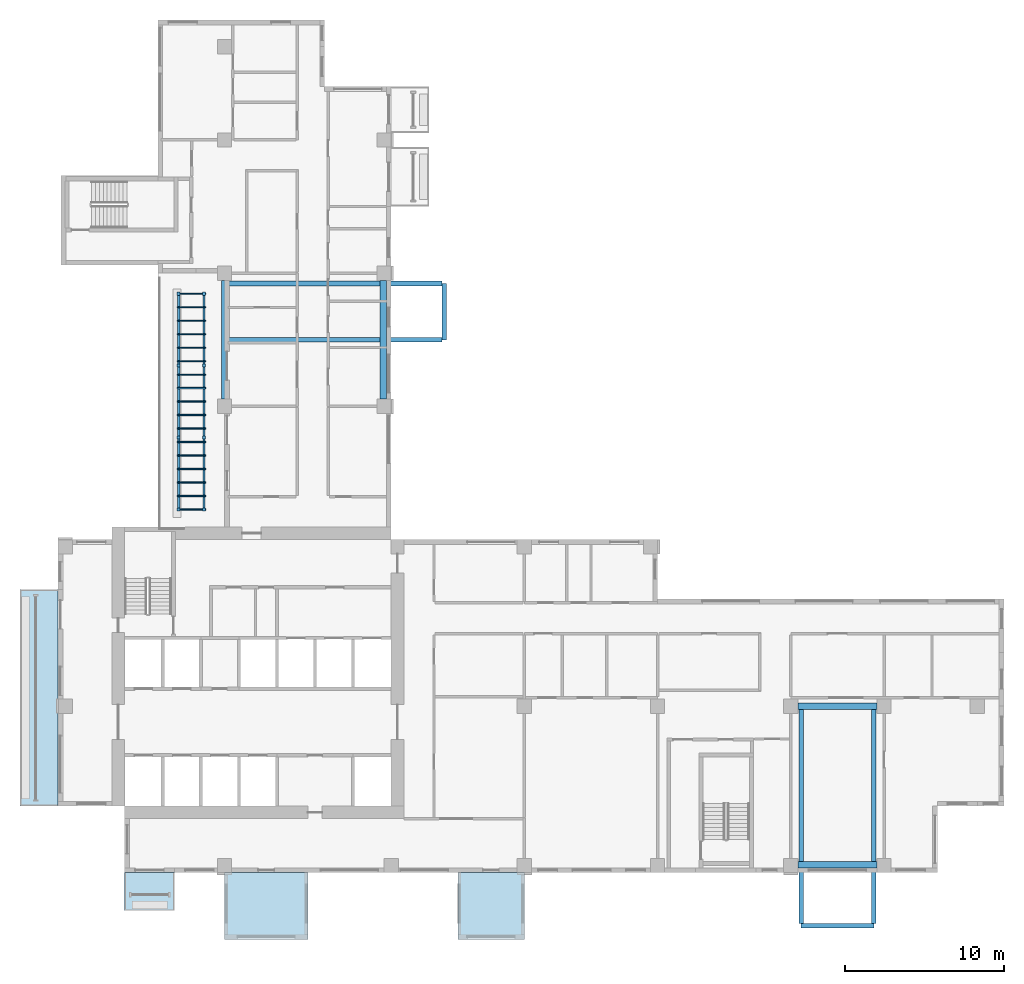
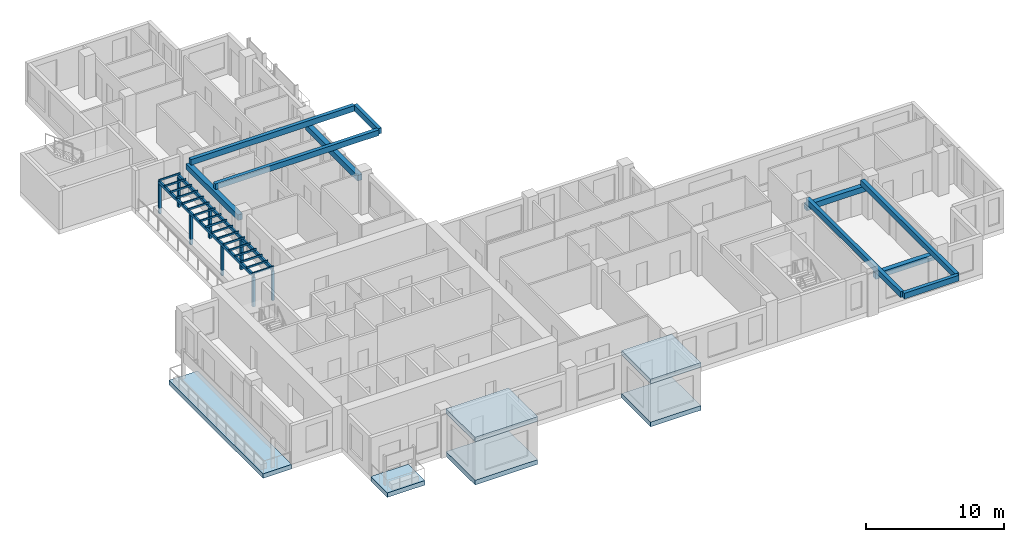
# One storey, part 2 of 14: 27 members, 10 beams, 6 slabs.
"""IFC4 building model written with IfcOpenShell, lengths in metres."""

from ifc_helpers import new_model, si_unit, direction, frame, origin, origin_2d, place, context, subcontext, project, spatial, polyline, rectangle, outline, extrude, source, transform, mapped, material, layer, layer_set, material_profile, profile_set, type_object, element, save


model = new_model("IFC4")

# Units and contexts
model_context = context("Model", 3, precision=1e-05, world=origin(), true_north=direction((0.0, 1.0)))
body_context = subcontext(model_context, "Body", "Model", "MODEL_VIEW")
ifc_project = project(units=[si_unit("LENGTHUNIT", "METRE"), si_unit("AREAUNIT", "SQUARE_METRE"), si_unit("VOLUMEUNIT", "CUBIC_METRE"), si_unit("PLANEANGLEUNIT", "RADIAN"), si_unit("MASSUNIT", "GRAM", prefix="KILO")], contexts=[model_context])

# Site, building, storey
site_placement = place(None, origin())
site = spatial("IfcSite", under=ifc_project, at=site_placement, CompositionType="ELEMENT")
building_placement = place(site_placement, origin())
building = spatial("IfcBuilding", under=site, at=building_placement, Name="Aurelian Terraces", CompositionType="ELEMENT")
storey_placement = place(building_placement, frame((0.0, 0.0, 185.4)))
storey = spatial("IfcBuildingStorey", under=building, at=storey_placement, Name="L40", CompositionType="ELEMENT", Elevation=185.4)

# Beams
ifc_material_1 = material(Name="Concrete fc' 40 MPa", Category="concrete")
ifc_material_profile_1 = material_profile(ifc_material_1, rectangle(XDim=0.3, YDim=0.5, at=origin_2d()))
ifc_profile_set_1 = profile_set([ifc_material_profile_1], Name="Concrete fc' 40 MPa")
beam_type_1 = type_object("IfcBeamType", Name="CONCRETE CANTILEVER BEAM 300X500", PredefinedType="BEAM", material=ifc_profile_set_1)
beam_1_placement = place(storey_placement, frame((46.85, -3.35, 3.15), z_axis=(1.0, 0.0, 0.0), x_axis=(0.0, 1.0, 0.0)))
element("IfcBeam", 1, at=beam_1_placement, inside=storey, type_object=beam_type_1, Name="Box tip beam J56", PredefinedType="BEAM", context=body_context, shape_type="SweptSolid", body=[
    extrude(rectangle(XDim=0.3, YDim=0.5, at=origin_2d()), origin(), (0.0, 0.0, 1.0), 4.58),
])
ifc_material_profile_2 = material_profile(ifc_material_1, rectangle(XDim=0.4, YDim=0.5, at=origin_2d()))
ifc_profile_set_2 = profile_set([ifc_material_profile_2], Name="Concrete fc' 40 MPa")
beam_type_2 = type_object("IfcBeamType", Name="CONCRETE EDGE GIRDER 400X500", PredefinedType="BEAM", material=ifc_profile_set_2)
beam_2_placement = place(storey_placement, frame((46.65, 0.5, 2.65), z_axis=(1.0, 0.0, 0.0), x_axis=(0.0, 1.0, 0.0)))
element("IfcBeam", 2, at=beam_2_placement, inside=storey, type_object=beam_type_2, Name="Box girder L40 O114", PredefinedType="BEAM", context=body_context, shape_type="SweptSolid", body=[
    extrude(rectangle(XDim=0.4, YDim=0.5, at=origin_2d()), origin(), (0.0, 0.0, 1.0), 4.98),
])
shared_shape_1 = source(origin(), body_context, "Body", "SweptSolid", [
    extrude(rectangle(XDim=0.3, YDim=0.5, at=origin_2d()), origin(), (0.0, 0.0, 1.0), 13.7),
])
for number, where, z_axis, x_axis, name in (
    (3, (46.85, -3.2, 3.15), (0.0, 1.0, 0.0), (-1.0, 0.0, 0.0), "Box cantilever beam J56.1"),
    (4, (51.43, -3.2, 3.15), (0.0, 1.0, 0.0), (-1.0, 0.0, 0.0), "Box cantilever beam J56.2"),
    (5, (24.2, 33.6, 3.15), (-1.0, 0.0, 0.0), (0.0, -1.0, 0.0), "Box cantilever beam J57.1"),
    (6, (24.2, 37.15, 3.15), (-1.0, 0.0, 0.0), (0.0, -1.0, 0.0), "Box cantilever beam J57.2"),
):
    element("IfcBeam", number, at=place(storey_placement, frame(where, z_axis=z_axis, x_axis=x_axis)), inside=storey, type_object=beam_type_1, Name=name, PredefinedType="BEAM", context=body_context, shape_type="MappedRepresentation", body=[
        mapped(shared_shape_1, transform((0.0, 0.0, 0.0), scale=1.0)),
    ])
shared_shape_2 = source(origin(), body_context, "Body", "SweptSolid", [
    extrude(rectangle(XDim=0.4, YDim=0.5, at=origin_2d()), origin(), (0.0, 0.0, 1.0), 4.98),
])
beam_3_placement = place(storey_placement, frame((46.65, 10.5, 2.65), z_axis=(1.0, 0.0, 0.0), x_axis=(0.0, 1.0, 0.0)))
element("IfcBeam", 7, at=beam_3_placement, inside=storey, type_object=beam_type_2, Name="Box girder L40 I115", PredefinedType="BEAM", context=body_context, shape_type="MappedRepresentation", body=[
    mapped(shared_shape_2, transform((0.0, 0.0, 0.0), scale=1.0)),
])
shared_shape_3 = source(origin(), body_context, "Body", "SweptSolid", [
    extrude(rectangle(XDim=0.4, YDim=0.5, at=origin_2d()), origin(), (0.0, 0.0, 1.0), 7.5),
])
for number, where, z_axis, x_axis, name in (
    (8, (20.5, 29.85, 2.65), (0.0, 1.0, 0.0), (-1.0, 0.0, 0.0), "Box girder L40 O116"),
    (9, (10.5, 29.85, 2.65), (0.0, 1.0, 0.0), (-1.0, 0.0, 0.0), "Box girder L40 I117"),
):
    element("IfcBeam", number, at=place(storey_placement, frame(where, z_axis=z_axis, x_axis=x_axis)), inside=storey, type_object=beam_type_2, Name=name, PredefinedType="BEAM", context=body_context, shape_type="MappedRepresentation", body=[
        mapped(shared_shape_3, transform((0.0, 0.0, 0.0), scale=1.0)),
    ])
shared_shape_4 = source(origin(), body_context, "Body", "SweptSolid", [
    extrude(rectangle(XDim=0.3, YDim=0.5, at=origin_2d()), origin(), (0.0, 0.0, 1.0), 3.55),
])
beam_4_placement = place(storey_placement, frame((24.35, 33.6, 3.15), z_axis=(0.0, 1.0, 0.0), x_axis=(-1.0, 0.0, 0.0)))
element("IfcBeam", 10, at=beam_4_placement, inside=storey, type_object=beam_type_1, Name="Box tip beam J57", PredefinedType="BEAM", context=body_context, shape_type="MappedRepresentation", body=[
    mapped(shared_shape_4, transform((0.0, 0.0, 0.0), scale=1.0)),
])

# Members
ifc_material_2 = material(Name="Anodised aluminium", Category="aluminium")
ifc_material_profile_3 = material_profile(ifc_material_2, rectangle(XDim=0.2, YDim=0.2, at=origin_2d()))
ifc_profile_set_3 = profile_set([ifc_material_profile_3], Name="Anodised aluminium")
member_type_1 = type_object("IfcMemberType", Name="PERGOLA POST 200X200", PredefinedType="POST", material=ifc_profile_set_3)
shared_shape_5 = source(origin(), body_context, "Body", "SweptSolid", [
    extrude(rectangle(XDim=0.2, YDim=0.2, at=origin_2d()), origin(), (0.0, 0.0, 1.0), 2.6),
])
for number, where, z_axis, x_axis, name in (
    (11, (7.6, 22.9, 0.0), (0.0, 0.0, 1.0), (1.0, 0.0, 0.0), "Pergola post L40 SKY-06-T1.1.1"),
    (12, (9.2, 22.9, 0.0), (0.0, 0.0, 1.0), (1.0, 0.0, 0.0), "Pergola post L40 SKY-06-T1.1.2"),
    (13, (7.6, 27.4333, 0.0), (0.0, 0.0, 1.0), (1.0, 0.0, 0.0), "Pergola post L40 SKY-06-T1.2.1"),
    (14, (9.2, 27.4333, 0.0), (0.0, 0.0, 1.0), (1.0, 0.0, 0.0), "Pergola post L40 SKY-06-T1.2.2"),
    (15, (7.6, 31.9667, 0.0), (0.0, 0.0, 1.0), (1.0, 0.0, 0.0), "Pergola post L40 SKY-06-T1.3.1"),
    (16, (9.2, 31.9667, 0.0), (0.0, 0.0, 1.0), (1.0, 0.0, 0.0), "Pergola post L40 SKY-06-T1.3.2"),
    (17, (7.6, 36.5, 0.0), (0.0, 0.0, 1.0), (1.0, 0.0, 0.0), "Pergola post L40 SKY-06-T1.4.1"),
    (18, (9.2, 36.5, 0.0), (0.0, 0.0, 1.0), (1.0, 0.0, 0.0), "Pergola post L40 SKY-06-T1.4.2"),
):
    element("IfcMember", number, at=place(storey_placement, frame(where, z_axis=z_axis, x_axis=x_axis)), inside=storey, type_object=member_type_1, Name=name, PredefinedType="POST", context=body_context, shape_type="MappedRepresentation", body=[
        mapped(shared_shape_5, transform((0.0, 0.0, 0.0), scale=1.0)),
    ])
ifc_material_profile_4 = material_profile(ifc_material_2, rectangle(XDim=0.15, YDim=0.25, at=origin_2d()))
ifc_profile_set_4 = profile_set([ifc_material_profile_4], Name="Anodised aluminium")
member_type_2 = type_object("IfcMemberType", Name="PERGOLA BEAM 150X250", PredefinedType="PURLIN", material=ifc_profile_set_4)
shared_shape_6 = source(origin(), body_context, "Body", "SweptSolid", [
    extrude(rectangle(XDim=0.15, YDim=0.25, at=origin_2d()), origin(), (0.0, 0.0, 1.0), 13.8),
])
for number, where, z_axis, x_axis, name in (
    (19, (7.6, 22.8, 2.725), (0.0, 1.0, 0.0), (-1.0, 0.0, 0.0), "Pergola beam L40 SKY-06-T1.1"),
    (20, (9.2, 22.8, 2.725), (0.0, 1.0, 0.0), (-1.0, 0.0, 0.0), "Pergola beam L40 SKY-06-T1.2"),
):
    element("IfcMember", number, at=place(storey_placement, frame(where, z_axis=z_axis, x_axis=x_axis)), inside=storey, type_object=member_type_2, Name=name, PredefinedType="PURLIN", context=body_context, shape_type="MappedRepresentation", body=[
        mapped(shared_shape_6, transform((0.0, 0.0, 0.0), scale=1.0)),
    ])
ifc_material_profile_5 = material_profile(ifc_material_2, rectangle(XDim=0.08, YDim=0.15, at=origin_2d()))
ifc_profile_set_5 = profile_set([ifc_material_profile_5], Name="Anodised aluminium")
member_type_3 = type_object("IfcMemberType", Name="PERGOLA RAFTER 80X150", PredefinedType="RAFTER", material=ifc_profile_set_5)
shared_shape_7 = source(origin(), body_context, "Body", "SweptSolid", [
    extrude(rectangle(XDim=0.08, YDim=0.15, at=origin_2d()), origin(), (0.0, 0.0, 1.0), 1.8),
])
for number, where, z_axis, x_axis, name in (
    (21, (7.5, 22.9, 2.925), (1.0, 0.0, 0.0), (0.0, 1.0, 0.0), "Pergola rafter L40 SKY-06-T1.1"),
    (22, (7.5, 23.75, 2.925), (1.0, 0.0, 0.0), (0.0, 1.0, 0.0), "Pergola rafter L40 SKY-06-T1.2"),
    (23, (7.5, 24.6, 2.925), (1.0, 0.0, 0.0), (0.0, 1.0, 0.0), "Pergola rafter L40 SKY-06-T1.3"),
    (24, (7.5, 25.45, 2.925), (1.0, 0.0, 0.0), (0.0, 1.0, 0.0), "Pergola rafter L40 SKY-06-T1.4"),
    (25, (7.5, 26.3, 2.925), (1.0, 0.0, 0.0), (0.0, 1.0, 0.0), "Pergola rafter L40 SKY-06-T1.5"),
    (26, (7.5, 27.15, 2.925), (1.0, 0.0, 0.0), (0.0, 1.0, 0.0), "Pergola rafter L40 SKY-06-T1.6"),
    (27, (7.5, 28.0, 2.925), (1.0, 0.0, 0.0), (0.0, 1.0, 0.0), "Pergola rafter L40 SKY-06-T1.7"),
    (28, (7.5, 28.85, 2.925), (1.0, 0.0, 0.0), (0.0, 1.0, 0.0), "Pergola rafter L40 SKY-06-T1.8"),
    (29, (7.5, 29.7, 2.925), (1.0, 0.0, 0.0), (0.0, 1.0, 0.0), "Pergola rafter L40 SKY-06-T1.9"),
    (30, (7.5, 30.55, 2.925), (1.0, 0.0, 0.0), (0.0, 1.0, 0.0), "Pergola rafter L40 SKY-06-T1.10"),
    (31, (7.5, 31.4, 2.925), (1.0, 0.0, 0.0), (0.0, 1.0, 0.0), "Pergola rafter L40 SKY-06-T1.11"),
    (32, (7.5, 32.25, 2.925), (1.0, 0.0, 0.0), (0.0, 1.0, 0.0), "Pergola rafter L40 SKY-06-T1.12"),
    (33, (7.5, 33.1, 2.925), (1.0, 0.0, 0.0), (0.0, 1.0, 0.0), "Pergola rafter L40 SKY-06-T1.13"),
    (34, (7.5, 33.95, 2.925), (1.0, 0.0, 0.0), (0.0, 1.0, 0.0), "Pergola rafter L40 SKY-06-T1.14"),
    (35, (7.5, 34.8, 2.925), (1.0, 0.0, 0.0), (0.0, 1.0, 0.0), "Pergola rafter L40 SKY-06-T1.15"),
    (36, (7.5, 35.65, 2.925), (1.0, 0.0, 0.0), (0.0, 1.0, 0.0), "Pergola rafter L40 SKY-06-T1.16"),
    (37, (7.5, 36.5, 2.925), (1.0, 0.0, 0.0), (0.0, 1.0, 0.0), "Pergola rafter L40 SKY-06-T1.17"),
):
    element("IfcMember", number, at=place(storey_placement, frame(where, z_axis=z_axis, x_axis=x_axis)), inside=storey, type_object=member_type_3, Name=name, PredefinedType="RAFTER", context=body_context, shape_type="MappedRepresentation", body=[
        mapped(shared_shape_7, transform((0.0, 0.0, 0.0), scale=1.0)),
    ])

# Slabs
ifc_layer_1 = layer(ifc_material_1, 0.4)
ifc_layer_set_1 = layer_set([ifc_layer_1], Name="Box roof 400")
slab_type_1 = type_object("IfcSlabType", Name="Box roof 400", PredefinedType="ROOF", material=ifc_layer_set_1)
slab_1_placement = place(storey_placement, frame((0.0, 0.0, 3.4)))
element("IfcSlab", 38, at=slab_1_placement, inside=storey, type_object=slab_type_1, Name="Box roof J54", PredefinedType="ROOF", context=body_context, shape_type="SweptSolid", body=[
    extrude(outline(polyline([(10.5, -4.2), (15.75, -4.2), (15.75, 0.0), (10.5, 0.0), (10.5, -4.2)])), origin(), (0.0, 0.0, 1.0), 0.4),
])
ifc_layer_2 = layer(ifc_material_1, 0.41)
ifc_layer_set_2 = layer_set([ifc_layer_2], Name="Box floor 410")
slab_type_2 = type_object("IfcSlabType", Name="Box floor 410", PredefinedType="NOTDEFINED", material=ifc_layer_set_2)
shared_shape_8 = source(origin(), body_context, "Body", "SweptSolid", [
    extrude(outline(polyline([(25.2, -4.2), (29.4, -4.2), (29.4, 0.0), (25.2, 0.0), (25.2, -4.2)])), origin(), (0.0, 0.0, 1.0), 0.41),
])
slab_2_placement = place(storey_placement, frame((0.0, 0.0, -0.41)))
element("IfcSlab", 39, at=slab_2_placement, inside=storey, type_object=slab_type_2, Name="Box floor L40 J55", PredefinedType="NOTDEFINED", context=body_context, shape_type="MappedRepresentation", body=[
    mapped(shared_shape_8, transform((0.0, 0.0, 0.0), scale=1.0)),
])
shared_shape_9 = source(origin(), body_context, "Body", "SweptSolid", [
    extrude(outline(polyline([(25.2, -4.2), (29.4, -4.2), (29.4, 0.0), (25.2, 0.0), (25.2, -4.2)])), origin(), (0.0, 0.0, 1.0), 0.4),
])
slab_3_placement = place(storey_placement, frame((0.0, 0.0, 3.4)))
element("IfcSlab", 40, at=slab_3_placement, inside=storey, type_object=slab_type_1, Name="Box roof J55", PredefinedType="ROOF", context=body_context, shape_type="MappedRepresentation", body=[
    mapped(shared_shape_9, transform((0.0, 0.0, 0.0), scale=1.0)),
])
ifc_layer_3 = layer(ifc_material_1, 0.4)
ifc_layer_set_3 = layer_set([ifc_layer_3], Name="Balcony slab 400")
slab_type_3 = type_object("IfcSlabType", Name="Balcony slab 400", PredefinedType="NOTDEFINED", material=ifc_layer_set_3)
shared_shape_10 = source(origin(), body_context, "Body", "SweptSolid", [
    extrude(outline(polyline([(0.0, 17.85), (0.0, 4.2), (-2.4, 4.2), (-2.4, 17.85), (0.0, 17.85)])), origin(), (0.0, 0.0, 1.0), 0.4),
])
slab_4_placement = place(storey_placement, frame((0.0, 0.0, -0.4)))
element("IfcSlab", 41, at=slab_4_placement, inside=storey, type_object=slab_type_3, Name="Balcony slab L40 F22.39", PredefinedType="NOTDEFINED", context=body_context, shape_type="MappedRepresentation", body=[
    mapped(shared_shape_10, transform((0.0, 0.0, 0.0), scale=1.0)),
])
shared_shape_11 = source(origin(), body_context, "Body", "SweptSolid", [
    extrude(outline(polyline([(10.5, -4.2), (15.75, -4.2), (15.75, 0.0), (10.5, 0.0), (10.5, -4.2)])), origin(), (0.0, 0.0, 1.0), 0.41),
])
slab_5_placement = place(storey_placement, frame((0.0, 0.0, -0.41)))
element("IfcSlab", 42, at=slab_5_placement, inside=storey, type_object=slab_type_2, Name="Box floor L40 J54", PredefinedType="NOTDEFINED", context=body_context, shape_type="MappedRepresentation", body=[
    mapped(shared_shape_11, transform((0.0, 0.0, 0.0), scale=1.0)),
])
shared_shape_12 = source(origin(), body_context, "Body", "SweptSolid", [
    extrude(outline(polyline([(4.2, 0.0), (7.35, 0.0), (7.35, -2.4), (4.2, -2.4), (4.2, 0.0)])), origin(), (0.0, 0.0, 1.0), 0.4),
])
slab_6_placement = place(storey_placement, frame((0.0, 0.0, -0.4)))
element("IfcSlab", 43, at=slab_6_placement, inside=storey, type_object=slab_type_3, Name="Balcony slab L40 F01.1", PredefinedType="NOTDEFINED", context=body_context, shape_type="MappedRepresentation", body=[
    mapped(shared_shape_12, transform((0.0, 0.0, 0.0), scale=1.0)),
])

save(model, "model.ifc")
